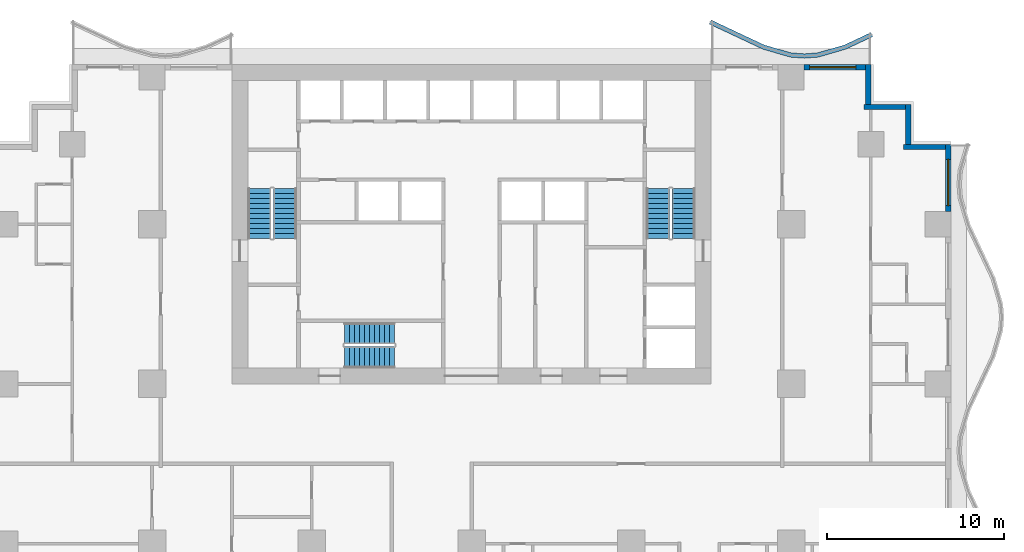
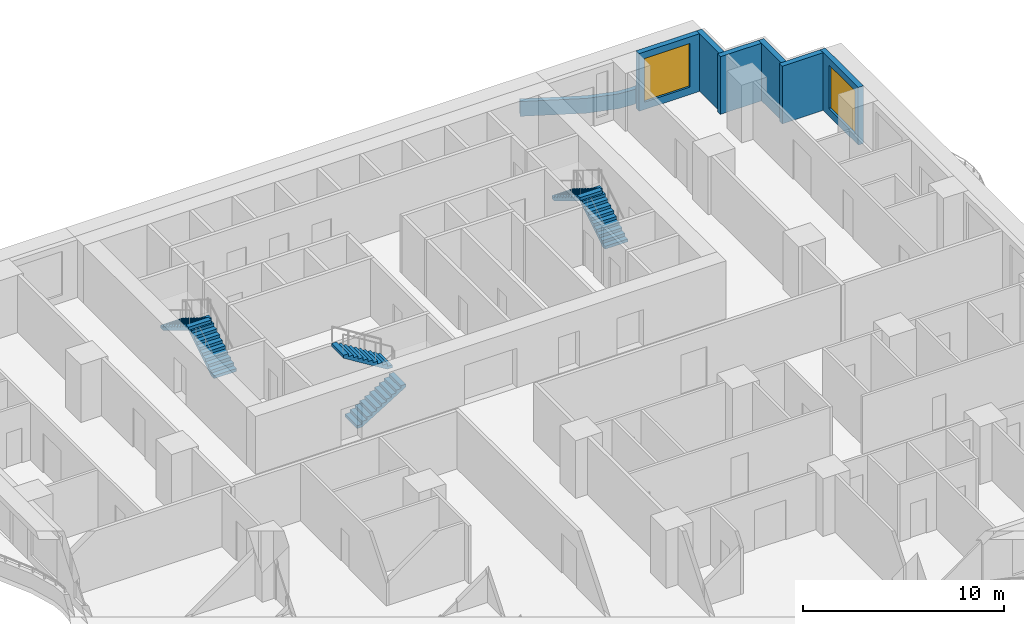
# One storey, part 7 of 14: 7 walls, 6 stair flights, 2 windows, 2 openings, 3 elements without a shape of their own.
"""IFC4 building model written with IfcOpenShell, lengths in metres."""

from ifc_helpers import new_model, si_unit, direction, frame, frame_2d, origin, place, context, subcontext, project, spatial, polyline, rectangle, outline, extrude, material, layer, layer_set, type_object, element, fill, aggregate, save


model = new_model("IFC4")

# Units and contexts
model_context = context("Model", 3, precision=1e-05, world=origin(), true_north=direction((0.0, 1.0)))
body_context = subcontext(model_context, "Body", "Model", "MODEL_VIEW")
ifc_project = project(units=[si_unit("LENGTHUNIT", "METRE"), si_unit("AREAUNIT", "SQUARE_METRE"), si_unit("VOLUMEUNIT", "CUBIC_METRE"), si_unit("PLANEANGLEUNIT", "RADIAN"), si_unit("MASSUNIT", "GRAM", prefix="KILO")], contexts=[model_context])

# Site, building, storey
site_placement = place(None, origin())
site = spatial("IfcSite", under=ifc_project, at=site_placement, CompositionType="ELEMENT")
building_placement = place(site_placement, origin())
building = spatial("IfcBuilding", under=site, at=building_placement, Name="Orbiselva Terraces", CompositionType="ELEMENT")
storey_placement = place(building_placement, frame((0.0, 0.0, 30.2)))
storey = spatial("IfcBuildingStorey", under=building, at=storey_placement, Name="L07", CompositionType="ELEMENT", Elevation=30.2)

# Wall
ifc_material_1 = material(Name="Concrete C40/50", Category="concrete")
ifc_layer_1 = layer(ifc_material_1, 0.25)
ifc_layer_set_1 = layer_set([ifc_layer_1], Name="Concrete C40/50")
wall_type_1 = type_object("IfcWallType", Name="ENV-PLANTER-250x900", PredefinedType="USERDEFINED", material=ifc_layer_set_1)
wall_1_placement = place(storey_placement, origin())
element("IfcWall", 1, at=wall_1_placement, inside=storey, type_object=wall_type_1, Name="Balcony planter L07 NE", ObjectType="PLANTER", PredefinedType="USERDEFINED", context=body_context, shape_type="SweptSolid", body=[
    extrude(outline(polyline([(22.5, 24.3), (21.0, 23.594658), (19.5, 23.158732), (18.75, 23.1), (18.0, 23.158732), (16.5, 23.594658), (15.0, 24.3), (13.5, 25.005342), (13.393617, 24.779106), (14.893617, 24.073764), (16.411382, 23.360069), (17.954886, 22.911499), (18.75, 22.849235), (19.545114, 22.911499), (21.088618, 23.360069), (22.606383, 24.073764), (22.5, 24.3)])), origin(), (0.0, 0.0, 1.0), 0.9),
])

# Wall, opening, window
ifc_material_2 = material(Name="Terracotta cladding on masonry backing", Category="masonry")
ifc_layer_2 = layer(ifc_material_2, 0.3)
ifc_layer_set_2 = layer_set([ifc_layer_2], Name="Terracotta cladding on masonry backing")
wall_type_2 = type_object("IfcWallType", Name="ENV-WALL-TERRACOTTA-300", PredefinedType="SOLIDWALL", material=ifc_layer_set_2)
wall_2_placement = place(storey_placement, frame((26.85, 18.0, 0.0), z_axis=(0.0, 0.0, 1.0), x_axis=(0.0, -1.0, 0.0)))
wall_2 = element("IfcWall", 2, at=wall_2_placement, inside=storey, type_object=wall_type_2, Name="Facade wall L07 E", PredefinedType="SOLIDWALL", context=body_context, shape_type="SweptSolid", body=[
    extrude(rectangle(XDim=3.775, YDim=0.3, at=frame_2d((1.8875, 0.0))), origin(), (0.0, 0.0, 1.0), 3.5),
])
opening_1_placement = place(wall_2_placement, frame((0.85, 0.0, 0.45)))
opening_1 = element("IfcOpeningElement", 3, at=opening_1_placement, cuts=wall_2, Name="Opening WN1", PredefinedType="OPENING", context=body_context, shape_type="SweptSolid", body=[
    extrude(rectangle(XDim=2.6, YDim=2.65, at=frame_2d((1.3, 1.325))), frame((0.0, 0.16, 0.0), z_axis=(0.0, -1.0, 0.0), x_axis=(1.0, 0.0, 0.0)), (0.0, 0.0, 1.0), 0.32),
])
ifc_material_3 = material(Name="Clear low-e glazing in aluminium frame", Category="aluminium")
window_type = type_object("IfcWindowType", Name="WINDOW 2600 X 2650 S450", PartitioningType="TRIPLE_PANEL_VERTICAL", PredefinedType="WINDOW", material=ifc_material_3)
window_1_placement = place(opening_1_placement, origin())
window_1 = element("IfcWindow", 4, at=window_1_placement, inside=storey, type_object=window_type, Name="Window L07 E", OverallHeight=2.65, OverallWidth=2.6, PartitioningType="SINGLE_PANEL", PredefinedType="WINDOW", context=body_context, shape_type="SweptSolid", body=[
    extrude(rectangle(XDim=2.6, YDim=2.65, at=frame_2d((1.3, 1.325))), frame((0.0, 0.03, 0.0), z_axis=(0.0, -1.0, 0.0), x_axis=(1.0, 0.0, 0.0)), (0.0, 0.0, 1.0), 0.06),
])
fill(opening_1, window_1)

# Walls
wall_3_placement = place(storey_placement, frame((24.35, 17.85, 0.0), z_axis=(0.0, 0.0, 1.0), x_axis=(1.0, 0.0, 0.0)))
element("IfcWall", 5, at=wall_3_placement, inside=storey, type_object=wall_type_2, Name="Facade wall L07 STEP", PredefinedType="SOLIDWALL", context=body_context, shape_type="SweptSolid", body=[
    extrude(rectangle(XDim=2.35, YDim=0.3, at=frame_2d((1.175, 0.0))), origin(), (0.0, 0.0, 1.0), 3.5),
])
wall_4_placement = place(storey_placement, frame((24.6, 20.25, 0.0), z_axis=(0.0, 0.0, 1.0), x_axis=(0.0, -1.0, 0.0)))
element("IfcWall", 6, at=wall_4_placement, inside=storey, type_object=wall_type_2, Name="Facade wall L07 STEP", PredefinedType="SOLIDWALL", context=body_context, shape_type="SweptSolid", body=[
    extrude(rectangle(XDim=2.25, YDim=0.3, at=frame_2d((1.125, 0.0))), origin(), (0.0, 0.0, 1.0), 3.5),
])
wall_5_placement = place(storey_placement, frame((22.1, 20.1, 0.0), z_axis=(0.0, 0.0, 1.0), x_axis=(1.0, 0.0, 0.0)))
element("IfcWall", 7, at=wall_5_placement, inside=storey, type_object=wall_type_2, Name="Facade wall L07 STEP", PredefinedType="SOLIDWALL", context=body_context, shape_type="SweptSolid", body=[
    extrude(rectangle(XDim=2.35, YDim=0.3, at=frame_2d((1.175, 0.0))), origin(), (0.0, 0.0, 1.0), 3.5),
])
wall_6_placement = place(storey_placement, frame((22.35, 22.5, 0.0), z_axis=(0.0, 0.0, 1.0), x_axis=(0.0, -1.0, 0.0)))
element("IfcWall", 8, at=wall_6_placement, inside=storey, type_object=wall_type_2, Name="Facade wall L07 STEP", PredefinedType="SOLIDWALL", context=body_context, shape_type="SweptSolid", body=[
    extrude(rectangle(XDim=2.25, YDim=0.3, at=frame_2d((1.125, 0.0))), origin(), (0.0, 0.0, 1.0), 3.5),
])

# Wall, opening, window
wall_7_placement = place(storey_placement, frame((18.725, 22.35, 0.0), z_axis=(0.0, 0.0, 1.0), x_axis=(1.0, 0.0, 0.0)))
wall_7 = element("IfcWall", 9, at=wall_7_placement, inside=storey, type_object=wall_type_2, Name="Facade wall L07 NE", PredefinedType="SOLIDWALL", context=body_context, shape_type="SweptSolid", body=[
    extrude(rectangle(XDim=3.475, YDim=0.3, at=frame_2d((1.7375, 0.0))), origin(), (0.0, 0.0, 1.0), 3.5),
])
opening_2_placement = place(wall_7_placement, frame((0.325, 0.0, 0.45)))
opening_2 = element("IfcOpeningElement", 10, at=opening_2_placement, cuts=wall_7, Name="Opening WN1", PredefinedType="OPENING", context=body_context, shape_type="SweptSolid", body=[
    extrude(rectangle(XDim=2.6, YDim=2.65, at=frame_2d((1.3, 1.325))), frame((0.0, 0.16, 0.0), z_axis=(0.0, -1.0, 0.0), x_axis=(1.0, 0.0, 0.0)), (0.0, 0.0, 1.0), 0.32),
])
window_2_placement = place(opening_2_placement, origin())
window_2 = element("IfcWindow", 11, at=window_2_placement, inside=storey, type_object=window_type, Name="Window L07 NE", OverallHeight=2.65, OverallWidth=2.6, PartitioningType="SINGLE_PANEL", PredefinedType="WINDOW", context=body_context, shape_type="SweptSolid", body=[
    extrude(rectangle(XDim=2.6, YDim=2.65, at=frame_2d((1.3, 1.325))), frame((0.0, 0.03, 0.0), z_axis=(0.0, -1.0, 0.0), x_axis=(1.0, 0.0, 0.0)), (0.0, 0.0, 1.0), 0.06),
])
fill(opening_2, window_2)

# Stair, stair flights
stair_type_1 = type_object("IfcStairType", Name="CORE-STAIR-1200", PredefinedType="HALF_TURN_STAIR", material=ifc_material_1)
stair_1_placement = place(storey_placement, origin())
stair_1 = element("IfcStair", 12, at=stair_1_placement, inside=storey, type_object=stair_type_1, Name="L07 Exit Stair S3", PredefinedType="HALF_TURN_STAIR")
stair_flight_type_1 = type_object("IfcStairFlightType", Name="CORE-STAIR-FLIGHT-1200", PredefinedType="STRAIGHT", material=ifc_material_1)
stair_flight_1_placement = place(storey_placement, frame((-7.15, 6.0, 0.0), z_axis=(0.0, 0.0, 1.0), x_axis=(1.0, 0.0, 0.0)))
stair_flight_1 = element("IfcStairFlight", 13, at=stair_flight_1_placement, type_object=stair_flight_type_1, Name="S3 flight 1", NumberOfRisers=11, NumberOfTreads=10, PredefinedType="STRAIGHT", RiserHeight=0.172727273, TreadLength=0.28, context=body_context, shape_type="SweptSolid", body=[
    extrude(outline(polyline([(0.0, 0.0), (0.0, 0.172727), (0.28, 0.172727), (0.28, 0.345455), (0.56, 0.345455), (0.56, 0.518182), (0.84, 0.518182), (0.84, 0.690909), (1.12, 0.690909), (1.12, 0.863636), (1.4, 0.863636), (1.4, 1.036364), (1.68, 1.036364), (1.68, 1.209091), (1.96, 1.209091), (1.96, 1.381818), (2.24, 1.381818), (2.24, 1.554545), (2.52, 1.554545), (2.52, 1.727273), (2.8, 1.727273), (2.8, 1.9), (2.8, 1.551028), (0.285702, 0.0), (0.0, 0.0)])), frame((0.0, 0.6, 0.0), z_axis=(0.0, -1.0, 0.0), x_axis=(1.0, 0.0, 0.0)), (0.0, 0.0, 1.0), 1.2),
])
stair_flight_2_placement = place(storey_placement, frame((-4.35, 7.35, 1.9), z_axis=(0.0, 0.0, 1.0), x_axis=(-1.0, 0.0, 0.0)))
stair_flight_2 = element("IfcStairFlight", 14, at=stair_flight_2_placement, type_object=stair_flight_type_1, Name="S3 flight 2", NumberOfRisers=11, NumberOfTreads=10, PredefinedType="STRAIGHT", RiserHeight=0.172727273, TreadLength=0.28, context=body_context, shape_type="SweptSolid", body=[
    extrude(outline(polyline([(0.0, 0.0), (0.0, 0.172727), (0.28, 0.172727), (0.28, 0.345455), (0.56, 0.345455), (0.56, 0.518182), (0.84, 0.518182), (0.84, 0.690909), (1.12, 0.690909), (1.12, 0.863636), (1.4, 0.863636), (1.4, 1.036364), (1.68, 1.036364), (1.68, 1.209091), (1.96, 1.209091), (1.96, 1.381818), (2.24, 1.381818), (2.24, 1.554545), (2.52, 1.554545), (2.52, 1.727273), (2.8, 1.727273), (2.8, 1.9), (2.8, 1.551028), (0.285702, 0.0), (0.0, 0.0)])), frame((0.0, 0.6, 0.0), z_axis=(0.0, -1.0, 0.0), x_axis=(1.0, 0.0, 0.0)), (0.0, 0.0, 1.0), 1.2),
])
aggregate(stair_1, [stair_flight_1, stair_flight_2])

stair_type_2 = type_object("IfcStairType", Name="CORE-STAIR-1300", PredefinedType="HALF_TURN_STAIR", material=ifc_material_1)
stair_2_placement = place(storey_placement, origin())
stair_2 = element("IfcStair", 15, at=stair_2_placement, inside=storey, type_object=stair_type_2, Name="L07 Exit Stair S1", PredefinedType="HALF_TURN_STAIR")
stair_flight_type_2 = type_object("IfcStairFlightType", Name="CORE-STAIR-FLIGHT-1300", PredefinedType="STRAIGHT", material=ifc_material_1)
stair_flight_3_placement = place(storey_placement, frame((-10.5, 12.7, 0.0), z_axis=(0.0, 0.0, 1.0), x_axis=(0.0, 1.0, 0.0)))
stair_flight_3 = element("IfcStairFlight", 16, at=stair_flight_3_placement, type_object=stair_flight_type_2, Name="S1 flight 1", NumberOfRisers=11, NumberOfTreads=10, PredefinedType="STRAIGHT", RiserHeight=0.172727273, TreadLength=0.28, context=body_context, shape_type="SweptSolid", body=[
    extrude(outline(polyline([(0.0, 0.0), (0.0, 0.172727), (0.28, 0.172727), (0.28, 0.345455), (0.56, 0.345455), (0.56, 0.518182), (0.84, 0.518182), (0.84, 0.690909), (1.12, 0.690909), (1.12, 0.863636), (1.4, 0.863636), (1.4, 1.036364), (1.68, 1.036364), (1.68, 1.209091), (1.96, 1.209091), (1.96, 1.381818), (2.24, 1.381818), (2.24, 1.554545), (2.52, 1.554545), (2.52, 1.727273), (2.8, 1.727273), (2.8, 1.9), (2.8, 1.551028), (0.285702, 0.0), (0.0, 0.0)])), frame((0.0, 0.65, 0.0), z_axis=(0.0, -1.0, 0.0), x_axis=(1.0, 0.0, 0.0)), (0.0, 0.0, 1.0), 1.3),
])
stair_flight_4_placement = place(storey_placement, frame((-11.95, 15.5, 1.9), z_axis=(0.0, 0.0, 1.0), x_axis=(0.0, -1.0, 0.0)))
stair_flight_4 = element("IfcStairFlight", 17, at=stair_flight_4_placement, type_object=stair_flight_type_2, Name="S1 flight 2", NumberOfRisers=11, NumberOfTreads=10, PredefinedType="STRAIGHT", RiserHeight=0.172727273, TreadLength=0.28, context=body_context, shape_type="SweptSolid", body=[
    extrude(outline(polyline([(0.0, 0.0), (0.0, 0.172727), (0.28, 0.172727), (0.28, 0.345455), (0.56, 0.345455), (0.56, 0.518182), (0.84, 0.518182), (0.84, 0.690909), (1.12, 0.690909), (1.12, 0.863636), (1.4, 0.863636), (1.4, 1.036364), (1.68, 1.036364), (1.68, 1.209091), (1.96, 1.209091), (1.96, 1.381818), (2.24, 1.381818), (2.24, 1.554545), (2.52, 1.554545), (2.52, 1.727273), (2.8, 1.727273), (2.8, 1.9), (2.8, 1.551028), (0.285702, 0.0), (0.0, 0.0)])), frame((0.0, 0.65, 0.0), z_axis=(0.0, -1.0, 0.0), x_axis=(1.0, 0.0, 0.0)), (0.0, 0.0, 1.0), 1.3),
])
aggregate(stair_2, [stair_flight_3, stair_flight_4])

stair_3_placement = place(storey_placement, origin())
stair_3 = element("IfcStair", 18, at=stair_3_placement, inside=storey, type_object=stair_type_2, Name="L07 Exit Stair S2", PredefinedType="HALF_TURN_STAIR")
stair_flight_5_placement = place(storey_placement, frame((11.95, 12.7, 0.0), z_axis=(0.0, 0.0, 1.0), x_axis=(0.0, 1.0, 0.0)))
stair_flight_5 = element("IfcStairFlight", 19, at=stair_flight_5_placement, type_object=stair_flight_type_2, Name="S2 flight 1", NumberOfRisers=11, NumberOfTreads=10, PredefinedType="STRAIGHT", RiserHeight=0.172727273, TreadLength=0.28, context=body_context, shape_type="SweptSolid", body=[
    extrude(outline(polyline([(0.0, 0.0), (0.0, 0.172727), (0.28, 0.172727), (0.28, 0.345455), (0.56, 0.345455), (0.56, 0.518182), (0.84, 0.518182), (0.84, 0.690909), (1.12, 0.690909), (1.12, 0.863636), (1.4, 0.863636), (1.4, 1.036364), (1.68, 1.036364), (1.68, 1.209091), (1.96, 1.209091), (1.96, 1.381818), (2.24, 1.381818), (2.24, 1.554545), (2.52, 1.554545), (2.52, 1.727273), (2.8, 1.727273), (2.8, 1.9), (2.8, 1.551028), (0.285702, 0.0), (0.0, 0.0)])), frame((0.0, 0.65, 0.0), z_axis=(0.0, -1.0, 0.0), x_axis=(1.0, 0.0, 0.0)), (0.0, 0.0, 1.0), 1.3),
])
stair_flight_6_placement = place(storey_placement, frame((10.5, 15.5, 1.9), z_axis=(0.0, 0.0, 1.0), x_axis=(0.0, -1.0, 0.0)))
stair_flight_6 = element("IfcStairFlight", 20, at=stair_flight_6_placement, type_object=stair_flight_type_2, Name="S2 flight 2", NumberOfRisers=11, NumberOfTreads=10, PredefinedType="STRAIGHT", RiserHeight=0.172727273, TreadLength=0.28, context=body_context, shape_type="SweptSolid", body=[
    extrude(outline(polyline([(0.0, 0.0), (0.0, 0.172727), (0.28, 0.172727), (0.28, 0.345455), (0.56, 0.345455), (0.56, 0.518182), (0.84, 0.518182), (0.84, 0.690909), (1.12, 0.690909), (1.12, 0.863636), (1.4, 0.863636), (1.4, 1.036364), (1.68, 1.036364), (1.68, 1.209091), (1.96, 1.209091), (1.96, 1.381818), (2.24, 1.381818), (2.24, 1.554545), (2.52, 1.554545), (2.52, 1.727273), (2.8, 1.727273), (2.8, 1.9), (2.8, 1.551028), (0.285702, 0.0), (0.0, 0.0)])), frame((0.0, 0.65, 0.0), z_axis=(0.0, -1.0, 0.0), x_axis=(1.0, 0.0, 0.0)), (0.0, 0.0, 1.0), 1.3),
])
aggregate(stair_3, [stair_flight_5, stair_flight_6])

save(model, "model.ifc")
